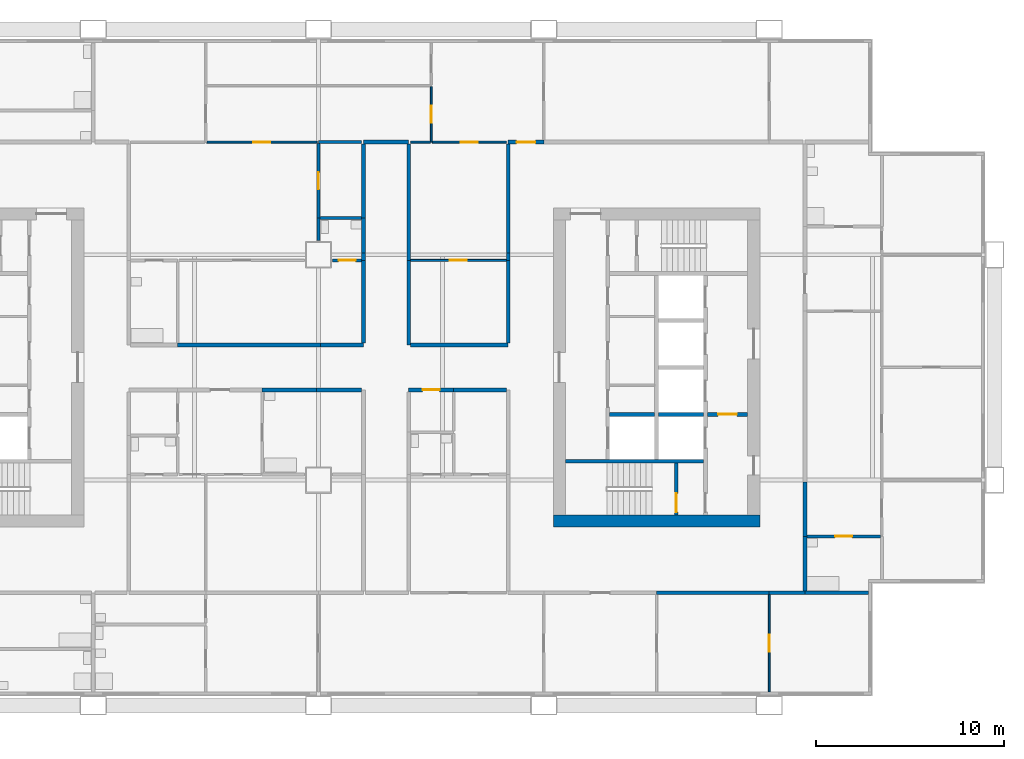
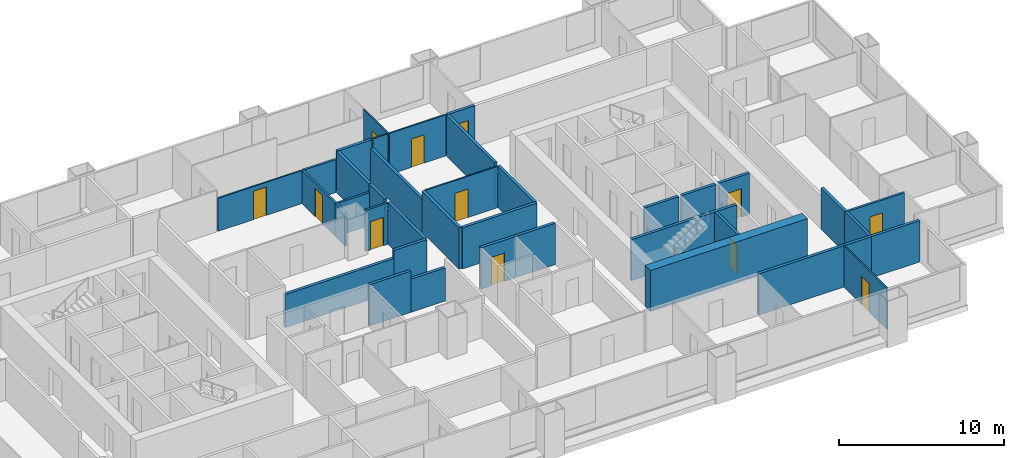
# One storey, part 6 of 11: 41 walls, 12 doors, 12 openings.
"""IFC4 building model written with IfcOpenShell, lengths in metres."""

from ifc_helpers import new_model, si_unit, direction, frame, frame_2d, origin, place, context, subcontext, project, spatial, rectangle, extrude, material, layer, layer_set, type_object, element, fill, save


model = new_model("IFC4")

# Units and contexts
model_context = context("Model", 3, precision=1e-05, world=origin(), true_north=direction((0.0, 1.0)))
body_context = subcontext(model_context, "Body", "Model", "MODEL_VIEW")
ifc_project = project(units=[si_unit("LENGTHUNIT", "METRE"), si_unit("AREAUNIT", "SQUARE_METRE"), si_unit("VOLUMEUNIT", "CUBIC_METRE"), si_unit("PLANEANGLEUNIT", "RADIAN"), si_unit("MASSUNIT", "GRAM", prefix="KILO")], contexts=[model_context])

# Site, building, storey
site_placement = place(None, origin())
site = spatial("IfcSite", under=ifc_project, at=site_placement, CompositionType="ELEMENT")
building_placement = place(site_placement, origin())
building = spatial("IfcBuilding", under=site, at=building_placement, Name="Kitamizu Gate Tower and Museum", CompositionType="ELEMENT")
storey_placement = place(building_placement, frame((0.0, 0.0, 138.0)))
storey = spatial("IfcBuildingStorey", under=building, at=storey_placement, Name="L36", CompositionType="ELEMENT", Elevation=138.0)

# Wall
ifc_material_1 = material(Name="Concrete Fc60", Category="concrete")
ifc_layer_1 = layer(ifc_material_1, 0.64990234375)
ifc_layer_set_1 = layer_set([ifc_layer_1], Name="Concrete Fc60")
wall_type_1 = type_object("IfcWallType", Name="Core wall 650", PredefinedType="SHEAR", material=ifc_layer_set_1)
wall_1_placement = place(storey_placement, frame((59.5, 21.824951171875, 0.0), z_axis=(0.0, 0.0, 1.0), x_axis=(-1.0, 0.0, 0.0)))
element("IfcWall", 1, at=wall_1_placement, inside=storey, type_object=wall_type_1, Name="Core wall ES", PredefinedType="SHEAR", context=body_context, shape_type="SweptSolid", body=[
    extrude(rectangle(XDim=11.0, YDim=0.64990234375, at=frame_2d((5.5, 0.0))), origin(), (0.0, 0.0, 1.0), 3.050048828125),
])

# Wall, opening, door
ifc_material_2 = material(Name="Gypsum board on galvanised stud")
ifc_layer_2 = layer(ifc_material_2, 0.10009765625)
ifc_layer_set_2 = layer_set([ifc_layer_2], Name="Gypsum board on galvanised stud")
wall_type_2 = type_object("IfcWallType", Name="Partition 100 NOT RATED", PredefinedType="PARTITIONING", material=ifc_layer_set_2)
wall_2_placement = place(storey_placement, frame((60.0, 12.719970703125, 0.0), z_axis=(0.0, 0.0, 1.0), x_axis=(0.0, 1.0, 0.0)))
wall_2 = element("IfcWall", 2, at=wall_2_placement, inside=storey, type_object=wall_type_2, Name="Partition L36-067", PredefinedType="PARTITIONING", context=body_context, shape_type="SweptSolid", body=[
    extrude(rectangle(XDim=5.179931640625, YDim=0.10009765625, at=frame_2d((2.58984375, 0.0))), origin(), (0.0, 0.0, 1.0), 3.050048828125),
])
opening_1_placement = place(wall_2_placement, frame((2.139892578125, 0.0, 0.0)))
opening_1 = element("IfcOpeningElement", 3, at=opening_1_placement, cuts=wall_2, Name="Opening L36-026", PredefinedType="OPENING", context=body_context, shape_type="SweptSolid", body=[
    extrude(rectangle(XDim=0.89990234375, YDim=2.10009765625, at=frame_2d((0.449951171875, 1.050048828125))), frame((0.0, 0.06005859375, 0.0), z_axis=(0.0, -1.0, 0.0), x_axis=(1.0, 0.0, 0.0)), (0.0, 0.0, 1.0), 0.1201171875),
])
ifc_material_3 = material(Name="Timber door set", Category="wood")
door_type_1 = type_object("IfcDoorType", Name="Room door 900", OperationType="NOTDEFINED", PredefinedType="DOOR", material=ifc_material_3)
door_1_placement = place(opening_1_placement, frame((0.89990234375, 0.0, 0.0), x_axis=(-1.0, 0.0, 0.0)))
door_1 = element("IfcDoor", 4, at=door_1_placement, inside=storey, type_object=door_type_1, Name="Door L36-026", OperationType="SINGLE_SWING_LEFT", OverallHeight=2.10009765625, OverallWidth=0.89990234375, PredefinedType="DOOR", context=body_context, shape_type="SweptSolid", body=[
    extrude(rectangle(XDim=0.89990234375, YDim=2.10009765625, at=frame_2d((0.449951171875, 1.050048828125))), frame((0.0, 0.02490234375, 0.0), z_axis=(0.0, -1.0, 0.0), x_axis=(1.0, 0.0, 0.0)), (0.0, 0.0, 1.0), 0.050048828125),
])
fill(opening_1, door_1)

wall_3_placement = place(storey_placement, frame((42.0, 42.0, 0.0), z_axis=(0.0, 0.0, 1.0), x_axis=(0.0, 1.0, 0.0)))
wall_3 = element("IfcWall", 5, at=wall_3_placement, inside=storey, type_object=wall_type_2, Name="Partition L36-119", PredefinedType="PARTITIONING", context=body_context, shape_type="SweptSolid", body=[
    extrude(rectangle(XDim=2.949951171875, YDim=0.10009765625, at=frame_2d((1.47509765625, 0.0))), origin(), (0.0, 0.0, 1.0), 3.050048828125),
])
opening_2_placement = place(wall_3_placement, frame((1.02490234375, 0.0, 0.0)))
opening_2 = element("IfcOpeningElement", 6, at=opening_2_placement, cuts=wall_3, Name="Opening L36-044", PredefinedType="OPENING", context=body_context, shape_type="SweptSolid", body=[
    extrude(rectangle(XDim=0.89990234375, YDim=2.10009765625, at=frame_2d((0.449951171875, 1.050048828125))), frame((0.0, 0.06005859375, 0.0), z_axis=(0.0, -1.0, 0.0), x_axis=(1.0, 0.0, 0.0)), (0.0, 0.0, 1.0), 0.1201171875),
])
door_2_placement = place(opening_2_placement, origin())
door_2 = element("IfcDoor", 7, at=door_2_placement, inside=storey, type_object=door_type_1, Name="Door L36-044", OperationType="SINGLE_SWING_RIGHT", OverallHeight=2.10009765625, OverallWidth=0.89990234375, PredefinedType="DOOR", context=body_context, shape_type="SweptSolid", body=[
    extrude(rectangle(XDim=0.89990234375, YDim=2.10009765625, at=frame_2d((0.449951171875, 1.050048828125))), frame((0.0, 0.02490234375, 0.0), z_axis=(0.0, -1.0, 0.0), x_axis=(1.0, 0.0, 0.0)), (0.0, 0.0, 1.0), 0.050048828125),
])
fill(opening_2, door_2)

wall_4_placement = place(storey_placement, frame((30.050048828125, 42.0, 0.0), z_axis=(0.0, 0.0, 1.0), x_axis=(1.0, 0.0, 0.0)))
wall_4 = element("IfcWall", 8, at=wall_4_placement, inside=storey, type_object=wall_type_2, Name="Partition L36-120", PredefinedType="PARTITIONING", context=body_context, shape_type="SweptSolid", body=[
    extrude(rectangle(XDim=5.875, YDim=0.10009765625, at=frame_2d((2.9375, 0.0))), origin(), (0.0, 0.0, 1.0), 2.449951171875),
])
opening_3_placement = place(wall_4_placement, frame((2.487548828125, 0.0, 0.0)))
opening_3 = element("IfcOpeningElement", 9, at=opening_3_placement, cuts=wall_4, Name="Opening L36-049", PredefinedType="OPENING", context=body_context, shape_type="SweptSolid", body=[
    extrude(rectangle(XDim=0.89990234375, YDim=2.10009765625, at=frame_2d((0.449951171875, 1.050048828125))), frame((0.0, 0.06005859375, 0.0), z_axis=(0.0, -1.0, 0.0), x_axis=(1.0, 0.0, 0.0)), (0.0, 0.0, 1.0), 0.1201171875),
])
door_3_placement = place(opening_3_placement, origin())
door_3 = element("IfcDoor", 10, at=door_3_placement, inside=storey, type_object=door_type_1, Name="Door L36-049", OperationType="SINGLE_SWING_RIGHT", OverallHeight=2.10009765625, OverallWidth=0.89990234375, PredefinedType="DOOR", context=body_context, shape_type="SweptSolid", body=[
    extrude(rectangle(XDim=0.89990234375, YDim=2.10009765625, at=frame_2d((0.449951171875, 1.050048828125))), frame((0.0, 0.02490234375, 0.0), z_axis=(0.0, -1.0, 0.0), x_axis=(1.0, 0.0, 0.0)), (0.0, 0.0, 1.0), 0.050048828125),
])
fill(opening_3, door_3)

# Wall
wall_5_placement = place(storey_placement, frame((40.89990234375, 42.0, 0.0), z_axis=(0.0, 0.0, 1.0), x_axis=(1.0, 0.0, 0.0)))
element("IfcWall", 11, at=wall_5_placement, inside=storey, type_object=wall_type_2, Name="Partition L36-122", PredefinedType="PARTITIONING", context=body_context, shape_type="SweptSolid", body=[
    extrude(rectangle(XDim=1.050048828125, YDim=0.10009765625, at=frame_2d((0.52490234375, 0.0))), origin(), (0.0, 0.0, 1.0), 3.050048828125),
])

# Wall, opening, door
wall_6_placement = place(storey_placement, frame((42.050048828125, 42.0, 0.0), z_axis=(0.0, 0.0, 1.0), x_axis=(1.0, 0.0, 0.0)))
wall_6 = element("IfcWall", 12, at=wall_6_placement, inside=storey, type_object=wall_type_2, Name="Partition L36-126", PredefinedType="PARTITIONING", context=body_context, shape_type="SweptSolid", body=[
    extrude(rectangle(XDim=3.949951171875, YDim=0.10009765625, at=frame_2d((1.97509765625, 0.0))), origin(), (0.0, 0.0, 1.0), 3.050048828125),
])
opening_4_placement = place(wall_6_placement, frame((1.52490234375, 0.0, 0.0)))
opening_4 = element("IfcOpeningElement", 13, at=opening_4_placement, cuts=wall_6, Name="Opening L36-047", PredefinedType="OPENING", context=body_context, shape_type="SweptSolid", body=[
    extrude(rectangle(XDim=0.89990234375, YDim=2.10009765625, at=frame_2d((0.449951171875, 1.050048828125))), frame((0.0, 0.06005859375, 0.0), z_axis=(0.0, -1.0, 0.0), x_axis=(1.0, 0.0, 0.0)), (0.0, 0.0, 1.0), 0.1201171875),
])
door_4_placement = place(opening_4_placement, frame((0.89990234375, 0.0, 0.0), x_axis=(-1.0, 0.0, 0.0)))
door_4 = element("IfcDoor", 14, at=door_4_placement, inside=storey, type_object=door_type_1, Name="Door L36-047", OperationType="SINGLE_SWING_RIGHT", OverallHeight=2.10009765625, OverallWidth=0.89990234375, PredefinedType="DOOR", context=body_context, shape_type="SweptSolid", body=[
    extrude(rectangle(XDim=0.89990234375, YDim=2.10009765625, at=frame_2d((0.449951171875, 1.050048828125))), frame((0.0, 0.02490234375, 0.0), z_axis=(0.0, -1.0, 0.0), x_axis=(1.0, 0.0, 0.0)), (0.0, 0.0, 1.0), 0.050048828125),
])
fill(opening_4, door_4)

wall_7_placement = place(storey_placement, frame((40.89990234375, 35.699951171875, 0.0), z_axis=(0.0, 0.0, 1.0), x_axis=(1.0, 0.0, 0.0)))
wall_7 = element("IfcWall", 15, at=wall_7_placement, inside=storey, type_object=wall_type_2, Name="Partition L36-147", PredefinedType="PARTITIONING", context=body_context, shape_type="SweptSolid", body=[
    extrude(rectangle(XDim=5.10009765625, YDim=0.10009765625, at=frame_2d((2.550048828125, 0.0))), origin(), (0.0, 0.0, 1.0), 3.050048828125),
])
opening_5_placement = place(wall_7_placement, frame((2.10009765625, 0.0, 0.0)))
opening_5 = element("IfcOpeningElement", 16, at=opening_5_placement, cuts=wall_7, Name="Opening L36-053", PredefinedType="OPENING", context=body_context, shape_type="SweptSolid", body=[
    extrude(rectangle(XDim=0.89990234375, YDim=2.10009765625, at=frame_2d((0.449951171875, 1.050048828125))), frame((0.0, 0.06005859375, 0.0), z_axis=(0.0, -1.0, 0.0), x_axis=(1.0, 0.0, 0.0)), (0.0, 0.0, 1.0), 0.1201171875),
])
door_5_placement = place(opening_5_placement, frame((0.89990234375, 0.0, 0.0), x_axis=(-1.0, 0.0, 0.0)))
door_5 = element("IfcDoor", 17, at=door_5_placement, inside=storey, type_object=door_type_1, Name="Door L36-053", OperationType="SINGLE_SWING_LEFT", OverallHeight=2.10009765625, OverallWidth=0.89990234375, PredefinedType="DOOR", context=body_context, shape_type="SweptSolid", body=[
    extrude(rectangle(XDim=0.89990234375, YDim=2.10009765625, at=frame_2d((0.449951171875, 1.050048828125))), frame((0.0, 0.02490234375, 0.0), z_axis=(0.0, -1.0, 0.0), x_axis=(1.0, 0.0, 0.0)), (0.0, 0.0, 1.0), 0.050048828125),
])
fill(opening_5, door_5)

ifc_material_4 = material(Name="Gypsum board on galvanised stud")
ifc_layer_3 = layer(ifc_material_4, 0.14990234375)
ifc_layer_set_3 = layer_set([ifc_layer_3], Name="Gypsum board on galvanised stud")
wall_type_3 = type_object("IfcWallType", Name="Partition 150", PredefinedType="PARTITIONING", material=ifc_layer_set_3)
wall_8_placement = place(storey_placement, frame((65.925048828125, 21.0, 0.0), z_axis=(0.0, 0.0, 1.0), x_axis=(-1.0, 0.0, 0.0)))
wall_8 = element("IfcWall", 18, at=wall_8_placement, inside=storey, type_object=wall_type_3, Name="Partition L36-094", PredefinedType="PARTITIONING", context=body_context, shape_type="SweptSolid", body=[
    extrude(rectangle(XDim=3.925048828125, YDim=0.14990234375, at=frame_2d((1.96240234375, 0.0))), origin(), (0.0, 0.0, 1.0), 3.050048828125),
])
opening_6_placement = place(wall_8_placement, frame((1.512451171875, 0.0, 0.0)))
opening_6 = element("IfcOpeningElement", 19, at=opening_6_placement, cuts=wall_8, Name="Opening L36-037", PredefinedType="OPENING", context=body_context, shape_type="SweptSolid", body=[
    extrude(rectangle(XDim=0.89990234375, YDim=2.10009765625, at=frame_2d((0.449951171875, 1.050048828125))), frame((0.0, 0.0849609375, 0.0), z_axis=(0.0, -1.0, 0.0), x_axis=(1.0, 0.0, 0.0)), (0.0, 0.0, 1.0), 0.169921875),
])
ifc_material_5 = material(Name="Timber door set", Category="wood")
door_type_2 = type_object("IfcDoorType", Name="Bathroom door 900", OperationType="NOTDEFINED", PredefinedType="DOOR", material=ifc_material_5)
door_6_placement = place(opening_6_placement, origin())
door_6 = element("IfcDoor", 20, at=door_6_placement, inside=storey, type_object=door_type_2, Name="Bathroom door L36-037", OperationType="SINGLE_SWING_RIGHT", OverallHeight=2.10009765625, OverallWidth=0.89990234375, PredefinedType="DOOR", context=body_context, shape_type="SweptSolid", body=[
    extrude(rectangle(XDim=0.89990234375, YDim=2.10009765625, at=frame_2d((0.449951171875, 1.050048828125))), frame((0.0, 0.02490234375, 0.0), z_axis=(0.0, -1.0, 0.0), x_axis=(1.0, 0.0, 0.0)), (0.0, 0.0, 1.0), 0.050048828125),
])
fill(opening_6, door_6)

# Walls
wall_9_placement = place(storey_placement, frame((36.0, 42.0, 0.0), z_axis=(0.0, 0.0, 1.0), x_axis=(1.0, 0.0, 0.0)))
element("IfcWall", 21, at=wall_9_placement, inside=storey, type_object=wall_type_3, Name="Partition L36-121", PredefinedType="PARTITIONING", context=body_context, shape_type="SweptSolid", body=[
    extrude(rectangle(XDim=2.300048828125, YDim=0.14990234375, at=frame_2d((1.14990234375, 0.0))), origin(), (0.0, 0.0, 1.0), 2.449951171875),
])
wall_10_placement = place(storey_placement, frame((36.0, 36.75, 0.0), z_axis=(0.0, 0.0, 1.0), x_axis=(0.0, 1.0, 0.0)))
element("IfcWall", 22, at=wall_10_placement, inside=storey, type_object=wall_type_3, Name="Partition L36-131", PredefinedType="PARTITIONING", context=body_context, shape_type="SweptSolid", body=[
    extrude(rectangle(XDim=1.199951171875, YDim=0.14990234375, at=frame_2d((0.60009765625, 0.0))), origin(), (0.0, 0.0, 1.0), 2.449951171875),
])

# Wall, opening, door
wall_11_placement = place(storey_placement, frame((36.0, 37.949951171875, 0.0), z_axis=(0.0, 0.0, 1.0), x_axis=(0.0, 1.0, 0.0)))
wall_11 = element("IfcWall", 23, at=wall_11_placement, inside=storey, type_object=wall_type_3, Name="Partition L36-132", PredefinedType="PARTITIONING", context=body_context, shape_type="SweptSolid", body=[
    extrude(rectangle(XDim=3.97509765625, YDim=0.14990234375, at=frame_2d((1.987548828125, 0.0))), origin(), (0.0, 0.0, 1.0), 2.449951171875),
])
opening_7_placement = place(wall_11_placement, frame((1.53759765625, 0.0, 0.0)))
opening_7 = element("IfcOpeningElement", 24, at=opening_7_placement, cuts=wall_11, Name="Opening L36-050", PredefinedType="OPENING", context=body_context, shape_type="SweptSolid", body=[
    extrude(rectangle(XDim=0.89990234375, YDim=2.10009765625, at=frame_2d((0.449951171875, 1.050048828125))), frame((0.0, 0.0849609375, 0.0), z_axis=(0.0, -1.0, 0.0), x_axis=(1.0, 0.0, 0.0)), (0.0, 0.0, 1.0), 0.169921875),
])
door_7_placement = place(opening_7_placement, frame((0.89990234375, 0.0, 0.0), x_axis=(-1.0, 0.0, 0.0)))
door_7 = element("IfcDoor", 25, at=door_7_placement, inside=storey, type_object=door_type_2, Name="Bathroom door L36-050", OperationType="SINGLE_SWING_RIGHT", OverallHeight=2.10009765625, OverallWidth=0.89990234375, PredefinedType="DOOR", context=body_context, shape_type="SweptSolid", body=[
    extrude(rectangle(XDim=0.89990234375, YDim=2.10009765625, at=frame_2d((0.449951171875, 1.050048828125))), frame((0.0, 0.02490234375, 0.0), z_axis=(0.0, -1.0, 0.0), x_axis=(1.0, 0.0, 0.0)), (0.0, 0.0, 1.0), 0.050048828125),
])
fill(opening_7, door_7)

# Wall
wall_12_placement = place(storey_placement, frame((38.300048828125, 37.949951171875, 0.0), z_axis=(0.0, 0.0, 1.0), x_axis=(-1.0, 0.0, 0.0)))
element("IfcWall", 26, at=wall_12_placement, inside=storey, type_object=wall_type_3, Name="Partition L36-136", PredefinedType="PARTITIONING", context=body_context, shape_type="SweptSolid", body=[
    extrude(rectangle(XDim=2.22509765625, YDim=0.14990234375, at=frame_2d((1.112548828125, 0.0))), origin(), (0.0, 0.0, 1.0), 2.449951171875),
])

# Wall, opening, door
wall_13_placement = place(storey_placement, frame((36.75, 35.699951171875, 0.0), z_axis=(0.0, 0.0, 1.0), x_axis=(1.0, 0.0, 0.0)))
wall_13 = element("IfcWall", 27, at=wall_13_placement, inside=storey, type_object=wall_type_3, Name="Partition L36-137", PredefinedType="PARTITIONING", context=body_context, shape_type="SweptSolid", body=[
    extrude(rectangle(XDim=1.550048828125, YDim=0.14990234375, at=frame_2d((0.77490234375, 0.0))), origin(), (0.0, 0.0, 1.0), 3.050048828125),
])
opening_8_placement = place(wall_13_placement, frame((0.324951171875, 0.0, 0.0)))
opening_8 = element("IfcOpeningElement", 28, at=opening_8_placement, cuts=wall_13, Name="Opening L36-054", PredefinedType="OPENING", context=body_context, shape_type="SweptSolid", body=[
    extrude(rectangle(XDim=0.89990234375, YDim=2.10009765625, at=frame_2d((0.449951171875, 1.050048828125))), frame((0.0, 0.0849609375, 0.0), z_axis=(0.0, -1.0, 0.0), x_axis=(1.0, 0.0, 0.0)), (0.0, 0.0, 1.0), 0.169921875),
])
door_8_placement = place(opening_8_placement, origin())
door_8 = element("IfcDoor", 29, at=door_8_placement, inside=storey, type_object=door_type_2, Name="Bathroom door L36-054", OperationType="SINGLE_SWING_LEFT", OverallHeight=2.10009765625, OverallWidth=0.89990234375, PredefinedType="DOOR", context=body_context, shape_type="SweptSolid", body=[
    extrude(rectangle(XDim=0.89990234375, YDim=2.10009765625, at=frame_2d((0.449951171875, 1.050048828125))), frame((0.0, 0.02490234375, 0.0), z_axis=(0.0, -1.0, 0.0), x_axis=(1.0, 0.0, 0.0)), (0.0, 0.0, 1.0), 0.050048828125),
])
fill(opening_8, door_8)

# Walls
ifc_material_6 = material(Name="Gypsum board on galvanised stud")
ifc_layer_4 = layer(ifc_material_6, 0.199951171875)
ifc_layer_set_4 = layer_set([ifc_layer_4], Name="Gypsum board on galvanised stud")
wall_type_4 = type_object("IfcWallType", Name="Partition 200", PredefinedType="PARTITIONING", material=ifc_layer_set_4)
wall_14_placement = place(storey_placement, frame((38.300048828125, 28.800048828125, 0.0), z_axis=(0.0, 0.0, 1.0), x_axis=(-1.0, 0.0, 0.0)))
element("IfcWall", 30, at=wall_14_placement, inside=storey, type_object=wall_type_4, Name="Partition L36-054", PredefinedType="PARTITIONING", context=body_context, shape_type="SweptSolid", body=[
    extrude(rectangle(XDim=2.400146484375, YDim=0.199951171875, at=frame_2d((1.2001953125, 0.0))), origin(), (0.0, 0.0, 1.0), 2.449951171875),
])
wall_15_placement = place(storey_placement, frame((35.89990234375, 28.800048828125, 0.0), z_axis=(0.0, 0.0, 1.0), x_axis=(-1.0, 0.0, 0.0)))
element("IfcWall", 31, at=wall_15_placement, inside=storey, type_object=wall_type_4, Name="Partition L36-055", PredefinedType="PARTITIONING", context=body_context, shape_type="SweptSolid", body=[
    extrude(rectangle(XDim=2.89990234375, YDim=0.199951171875, at=frame_2d((1.449951171875, 0.0))), origin(), (0.0, 0.0, 1.0), 3.050048828125),
])
wall_16_placement = place(storey_placement, frame((60.0, 18.0, 0.0), z_axis=(0.0, 0.0, 1.0), x_axis=(-1.0, 0.0, 0.0)))
element("IfcWall", 32, at=wall_16_placement, inside=storey, type_object=wall_type_4, Name="Partition L36-068", PredefinedType="PARTITIONING", context=body_context, shape_type="SweptSolid", body=[
    extrude(rectangle(XDim=6.0, YDim=0.199951171875, at=frame_2d((3.0, 0.0))), origin(), (0.0, 0.0, 1.0), 3.050048828125),
])
wall_17_placement = place(storey_placement, frame((65.280029296875, 18.0, 0.0), z_axis=(0.0, 0.0, 1.0), x_axis=(-1.0, 0.0, 0.0)))
element("IfcWall", 33, at=wall_17_placement, inside=storey, type_object=wall_type_4, Name="Partition L36-069", PredefinedType="PARTITIONING", context=body_context, shape_type="SweptSolid", body=[
    extrude(rectangle(XDim=3.380126953125, YDim=0.199951171875, at=frame_2d((1.68994140625, 0.0))), origin(), (0.0, 0.0, 1.0), 3.050048828125),
])
wall_18_placement = place(storey_placement, frame((61.89990234375, 18.0, 0.0), z_axis=(0.0, 0.0, 1.0), x_axis=(-1.0, 0.0, 0.0)))
element("IfcWall", 34, at=wall_18_placement, inside=storey, type_object=wall_type_4, Name="Partition L36-070", PredefinedType="PARTITIONING", context=body_context, shape_type="SweptSolid", body=[
    extrude(rectangle(XDim=1.89990234375, YDim=0.199951171875, at=frame_2d((0.949951171875, 0.0))), origin(), (0.0, 0.0, 1.0), 3.050048828125),
])

# Wall, opening, door
wall_19_placement = place(storey_placement, frame((43.199951171875, 28.800048828125, 0.0), z_axis=(0.0, 0.0, 1.0), x_axis=(-1.0, 0.0, 0.0)))
wall_19 = element("IfcWall", 35, at=wall_19_placement, inside=storey, type_object=wall_type_4, Name="Partition L36-080", PredefinedType="PARTITIONING", context=body_context, shape_type="SweptSolid", body=[
    extrude(rectangle(XDim=2.39990234375, YDim=0.199951171875, at=frame_2d((1.199951171875, 0.0))), origin(), (0.0, 0.0, 1.0), 3.050048828125),
])
opening_9_placement = place(wall_19_placement, frame((0.75, 0.0, 0.0)))
opening_9 = element("IfcOpeningElement", 36, at=opening_9_placement, cuts=wall_19, Name="Opening L36-029", PredefinedType="OPENING", context=body_context, shape_type="SweptSolid", body=[
    extrude(rectangle(XDim=0.89990234375, YDim=2.10009765625, at=frame_2d((0.449951171875, 1.050048828125))), frame((0.0, 0.10986328125, 0.0), z_axis=(0.0, -1.0, 0.0), x_axis=(1.0, 0.0, 0.0)), (0.0, 0.0, 1.0), 0.219970703125),
])
ifc_material_7 = material(Name="Timber door set", Category="wood")
door_type_3 = type_object("IfcDoorType", Name="Store door 900", OperationType="NOTDEFINED", PredefinedType="DOOR", material=ifc_material_7)
door_9_placement = place(opening_9_placement, origin())
door_9 = element("IfcDoor", 37, at=door_9_placement, inside=storey, type_object=door_type_3, Name="Service entrance door L36-029", OperationType="SINGLE_SWING_LEFT", OverallHeight=2.10009765625, OverallWidth=0.89990234375, PredefinedType="DOOR", context=body_context, shape_type="SweptSolid", body=[
    extrude(rectangle(XDim=0.89990234375, YDim=2.10009765625, at=frame_2d((0.449951171875, 1.050048828125))), frame((0.0, 0.02490234375, 0.0), z_axis=(0.0, -1.0, 0.0), x_axis=(1.0, 0.0, 0.0)), (0.0, 0.0, 1.0), 0.050048828125),
])
fill(opening_9, door_9)

# Walls
wall_20_placement = place(storey_placement, frame((46.0, 28.800048828125, 0.0), z_axis=(0.0, 0.0, 1.0), x_axis=(-1.0, 0.0, 0.0)))
element("IfcWall", 38, at=wall_20_placement, inside=storey, type_object=wall_type_4, Name="Partition L36-083", PredefinedType="PARTITIONING", context=body_context, shape_type="SweptSolid", body=[
    extrude(rectangle(XDim=2.800048828125, YDim=0.199951171875, at=frame_2d((1.39990234375, 0.0))), origin(), (0.0, 0.0, 1.0), 3.050048828125),
])
for number, where, z_axis, x_axis, name in (
    (39, (61.89990234375, 21.0, 0.0), (0.0, 0.0, 1.0), (0.0, -1.0, 0.0), "Partition L36-095"),
    (40, (61.89990234375, 23.89990234375, 0.0), (0.0, 0.0, 1.0), (0.0, -1.0, 0.0), "Partition L36-098"),
):
    element("IfcWall", number, at=place(storey_placement, frame(where, z_axis=z_axis, x_axis=x_axis)), inside=storey, type_object=wall_type_4, Name=name, PredefinedType="PARTITIONING", context=body_context, shape_type="SweptSolid", body=[
        extrude(rectangle(XDim=2.89990234375, YDim=0.199951171875, at=frame_2d((1.449951171875, 0.0))), origin(), (0.0, 0.0, 1.0), 3.050048828125),
    ])
wall_21_placement = place(storey_placement, frame((38.39990234375, 42.0, 0.0), z_axis=(0.0, 0.0, 1.0), x_axis=(1.0, 0.0, 0.0)))
element("IfcWall", 41, at=wall_21_placement, inside=storey, type_object=wall_type_4, Name="Partition L36-123", PredefinedType="PARTITIONING", context=body_context, shape_type="SweptSolid", body=[
    extrude(rectangle(XDim=2.400146484375, YDim=0.199951171875, at=frame_2d((1.2001953125, 0.0))), origin(), (0.0, 0.0, 1.0), 3.050048828125),
])

# Wall, opening, door
wall_22_placement = place(storey_placement, frame((46.10009765625, 42.0, 0.0), z_axis=(0.0, 0.0, 1.0), x_axis=(1.0, 0.0, 0.0)))
wall_22 = element("IfcWall", 42, at=wall_22_placement, inside=storey, type_object=wall_type_4, Name="Partition L36-127", PredefinedType="PARTITIONING", context=body_context, shape_type="SweptSolid", body=[
    extrude(rectangle(XDim=1.89990234375, YDim=0.199951171875, at=frame_2d((0.949951171875, 0.0))), origin(), (0.0, 0.0, 1.0), 3.050048828125),
])
opening_10_placement = place(wall_22_placement, frame((0.449951171875, 0.0, 0.0)))
opening_10 = element("IfcOpeningElement", 43, at=opening_10_placement, cuts=wall_22, Name="Opening L36-042", PredefinedType="OPENING", context=body_context, shape_type="SweptSolid", body=[
    extrude(rectangle(XDim=1.0, YDim=2.10009765625, at=frame_2d((0.5, 1.050048828125))), frame((0.0, 0.10986328125, 0.0), z_axis=(0.0, -1.0, 0.0), x_axis=(1.0, 0.0, 0.0)), (0.0, 0.0, 1.0), 0.219970703125),
])
ifc_material_8 = material(Name="Timber door set", Category="wood")
door_type_4 = type_object("IfcDoorType", Name="Flat entrance door 1000", OperationType="NOTDEFINED", PredefinedType="DOOR", material=ifc_material_8)
door_10_placement = place(opening_10_placement, origin())
door_10 = element("IfcDoor", 44, at=door_10_placement, inside=storey, type_object=door_type_4, Name="Flat entrance door L36-042", OperationType="SINGLE_SWING_LEFT", OverallHeight=2.10009765625, OverallWidth=1.0, PredefinedType="DOOR", context=body_context, shape_type="SweptSolid", body=[
    extrude(rectangle(XDim=1.0, YDim=2.10009765625, at=frame_2d((0.5, 1.050048828125))), frame((0.0, 0.02490234375, 0.0), z_axis=(0.0, -1.0, 0.0), x_axis=(1.0, 0.0, 0.0)), (0.0, 0.0, 1.0), 0.050048828125),
])
fill(opening_10, door_10)

# Walls
wall_23_placement = place(storey_placement, frame((38.39990234375, 35.699951171875, 0.0), z_axis=(0.0, 0.0, 1.0), x_axis=(0.0, 1.0, 0.0)))
element("IfcWall", 45, at=wall_23_placement, inside=storey, type_object=wall_type_4, Name="Partition L36-138", PredefinedType="PARTITIONING", context=body_context, shape_type="SweptSolid", body=[
    extrude(rectangle(XDim=0.400146484375, YDim=0.199951171875, at=frame_2d((0.2001953125, 0.0))), origin(), (0.0, 0.0, 1.0), 2.449951171875),
])
wall_24_placement = place(storey_placement, frame((38.39990234375, 36.10009765625, 0.0), z_axis=(0.0, 0.0, 1.0), x_axis=(0.0, 1.0, 0.0)))
element("IfcWall", 46, at=wall_24_placement, inside=storey, type_object=wall_type_4, Name="Partition L36-139", PredefinedType="PARTITIONING", context=body_context, shape_type="SweptSolid", body=[
    extrude(rectangle(XDim=1.849853515625, YDim=0.199951171875, at=frame_2d((0.9248046875, 0.0))), origin(), (0.0, 0.0, 1.0), 3.050048828125),
])
wall_25_placement = place(storey_placement, frame((38.39990234375, 37.949951171875, 0.0), z_axis=(0.0, 0.0, 1.0), x_axis=(0.0, 1.0, 0.0)))
element("IfcWall", 47, at=wall_25_placement, inside=storey, type_object=wall_type_4, Name="Partition L36-140", PredefinedType="PARTITIONING", context=body_context, shape_type="SweptSolid", body=[
    extrude(rectangle(XDim=3.949951171875, YDim=0.199951171875, at=frame_2d((1.97509765625, 0.0))), origin(), (0.0, 0.0, 1.0), 3.050048828125),
])
wall_26_placement = place(storey_placement, frame((28.5, 31.199951171875, 0.0), z_axis=(0.0, 0.0, 1.0), x_axis=(1.0, 0.0, 0.0)))
element("IfcWall", 48, at=wall_26_placement, inside=storey, type_object=wall_type_4, Name="Partition L36-144", PredefinedType="PARTITIONING", context=body_context, shape_type="SweptSolid", body=[
    extrude(rectangle(XDim=7.60009765625, YDim=0.199951171875, at=frame_2d((3.800048828125, 0.0))), origin(), (0.0, 0.0, 1.0), 2.449951171875),
])
wall_27_placement = place(storey_placement, frame((36.10009765625, 31.199951171875, 0.0), z_axis=(0.0, 0.0, 1.0), x_axis=(1.0, 0.0, 0.0)))
element("IfcWall", 49, at=wall_27_placement, inside=storey, type_object=wall_type_4, Name="Partition L36-145", PredefinedType="PARTITIONING", context=body_context, shape_type="SweptSolid", body=[
    extrude(rectangle(XDim=2.2998046875, YDim=0.199951171875, at=frame_2d((1.14990234375, 0.0))), origin(), (0.0, 0.0, 1.0), 3.050048828125),
])
wall_28_placement = place(storey_placement, frame((38.39990234375, 31.300048828125, 0.0), z_axis=(0.0, 0.0, 1.0), x_axis=(0.0, 1.0, 0.0)))
element("IfcWall", 50, at=wall_28_placement, inside=storey, type_object=wall_type_4, Name="Partition L36-146", PredefinedType="PARTITIONING", context=body_context, shape_type="SweptSolid", body=[
    extrude(rectangle(XDim=4.39990234375, YDim=0.199951171875, at=frame_2d((2.199951171875, 0.0))), origin(), (0.0, 0.0, 1.0), 3.050048828125),
])
wall_29_placement = place(storey_placement, frame((40.800048828125, 41.89990234375, 0.0), z_axis=(0.0, 0.0, 1.0), x_axis=(0.0, -1.0, 0.0)))
element("IfcWall", 51, at=wall_29_placement, inside=storey, type_object=wall_type_4, Name="Partition L36-148", PredefinedType="PARTITIONING", context=body_context, shape_type="SweptSolid", body=[
    extrude(rectangle(XDim=6.199951171875, YDim=0.199951171875, at=frame_2d((3.10009765625, 0.0))), origin(), (0.0, 0.0, 1.0), 2.449951171875),
])
wall_30_placement = place(storey_placement, frame((46.10009765625, 35.699951171875, 0.0), z_axis=(0.0, 0.0, 1.0), x_axis=(0.0, 1.0, 0.0)))
element("IfcWall", 52, at=wall_30_placement, inside=storey, type_object=wall_type_4, Name="Partition L36-149", PredefinedType="PARTITIONING", context=body_context, shape_type="SweptSolid", body=[
    extrude(rectangle(XDim=0.400146484375, YDim=0.199951171875, at=frame_2d((0.2001953125, 0.0))), origin(), (0.0, 0.0, 1.0), 2.449951171875),
])
wall_31_placement = place(storey_placement, frame((46.10009765625, 36.10009765625, 0.0), z_axis=(0.0, 0.0, 1.0), x_axis=(0.0, 1.0, 0.0)))
element("IfcWall", 53, at=wall_31_placement, inside=storey, type_object=wall_type_4, Name="Partition L36-150", PredefinedType="PARTITIONING", context=body_context, shape_type="SweptSolid", body=[
    extrude(rectangle(XDim=5.7998046875, YDim=0.199951171875, at=frame_2d((2.89990234375, 0.0))), origin(), (0.0, 0.0, 1.0), 3.050048828125),
])
wall_32_placement = place(storey_placement, frame((40.800048828125, 35.699951171875, 0.0), z_axis=(0.0, 0.0, 1.0), x_axis=(0.0, -1.0, 0.0)))
element("IfcWall", 54, at=wall_32_placement, inside=storey, type_object=wall_type_4, Name="Partition L36-151", PredefinedType="PARTITIONING", context=body_context, shape_type="SweptSolid", body=[
    extrude(rectangle(XDim=4.5, YDim=0.199951171875, at=frame_2d((2.25, 0.0))), origin(), (0.0, 0.0, 1.0), 3.050048828125),
])
wall_33_placement = place(storey_placement, frame((40.89990234375, 31.199951171875, 0.0), z_axis=(0.0, 0.0, 1.0), x_axis=(1.0, 0.0, 0.0)))
element("IfcWall", 55, at=wall_33_placement, inside=storey, type_object=wall_type_4, Name="Partition L36-152", PredefinedType="PARTITIONING", context=body_context, shape_type="SweptSolid", body=[
    extrude(rectangle(XDim=5.2001953125, YDim=0.199951171875, at=frame_2d((2.60009765625, 0.0))), origin(), (0.0, 0.0, 1.0), 3.050048828125),
])
wall_34_placement = place(storey_placement, frame((46.10009765625, 31.300048828125, 0.0), z_axis=(0.0, 0.0, 1.0), x_axis=(0.0, 1.0, 0.0)))
element("IfcWall", 56, at=wall_34_placement, inside=storey, type_object=wall_type_4, Name="Partition L36-153", PredefinedType="PARTITIONING", context=body_context, shape_type="SweptSolid", body=[
    extrude(rectangle(XDim=4.39990234375, YDim=0.199951171875, at=frame_2d((2.199951171875, 0.0))), origin(), (0.0, 0.0, 1.0), 3.050048828125),
])
ifc_material_9 = material(Name="Concrete Fc42", Category="concrete")
ifc_layer_5 = layer(ifc_material_9, 0.199951171875)
ifc_layer_set_5 = layer_set([ifc_layer_5], Name="Concrete Fc42")
wall_type_5 = type_object("IfcWallType", Name="Shaft wall 200", PredefinedType="SOLIDWALL", material=ifc_layer_set_5)
wall_35_placement = place(storey_placement, frame((56.5, 25.0, 0.0), z_axis=(0.0, 0.0, 1.0), x_axis=(-1.0, 0.0, 0.0)))
element("IfcWall", 57, at=wall_35_placement, inside=storey, type_object=wall_type_5, Name="Shaft wall ESB", PredefinedType="SOLIDWALL", context=body_context, shape_type="SweptSolid", body=[
    extrude(rectangle(XDim=7.35009765625, YDim=0.199951171875, at=frame_2d((3.675048828125, 0.0))), origin(), (0.0, 0.0, 1.0), 3.050048828125),
])

# Wall, opening, door
wall_36_placement = place(storey_placement, frame((58.85009765625, 27.5, 0.0), z_axis=(0.0, 0.0, 1.0), x_axis=(-1.0, 0.0, 0.0)))
wall_36 = element("IfcWall", 58, at=wall_36_placement, inside=storey, type_object=wall_type_5, Name="Shaft wall EFFN", PredefinedType="SOLIDWALL", context=body_context, shape_type="SweptSolid", body=[
    extrude(rectangle(XDim=2.150146484375, YDim=0.199951171875, at=frame_2d((1.0751953125, 0.0))), origin(), (0.0, 0.0, 1.0), 3.050048828125),
])
opening_11_placement = place(wall_36_placement, frame((0.574951171875, 0.0, 0.0)))
opening_11 = element("IfcOpeningElement", 59, at=opening_11_placement, cuts=wall_36, Name="Opening L36-071", PredefinedType="OPENING", context=body_context, shape_type="SweptSolid", body=[
    extrude(rectangle(XDim=1.0, YDim=2.10009765625, at=frame_2d((0.5, 1.050048828125))), frame((0.0, 0.10986328125, 0.0), z_axis=(0.0, -1.0, 0.0), x_axis=(1.0, 0.0, 0.0)), (0.0, 0.0, 1.0), 0.219970703125),
])
ifc_material_10 = material(Name="Hollow metal door set")
door_type_5 = type_object("IfcDoorType", Name="Fire door 1000", OperationType="NOTDEFINED", PredefinedType="DOOR", material=ifc_material_10)
door_11_placement = place(opening_11_placement, origin())
door_11 = element("IfcDoor", 60, at=door_11_placement, inside=storey, type_object=door_type_5, Name="Fire-fighting lobby door L36-071", OperationType="SINGLE_SWING_LEFT", OverallHeight=2.10009765625, OverallWidth=1.0, PredefinedType="DOOR", context=body_context, shape_type="SweptSolid", body=[
    extrude(rectangle(XDim=1.0, YDim=2.10009765625, at=frame_2d((0.5, 1.050048828125))), frame((0.0, 0.02490234375, 0.0), z_axis=(0.0, -1.0, 0.0), x_axis=(1.0, 0.0, 0.0)), (0.0, 0.0, 1.0), 0.050048828125),
])
fill(opening_11, door_11)

wall_37_placement = place(storey_placement, frame((55.050048828125, 22.14990234375, 0.0), z_axis=(0.0, 0.0, 1.0), x_axis=(0.0, 1.0, 0.0)))
wall_37 = element("IfcWall", 61, at=wall_37_placement, inside=storey, type_object=wall_type_5, Name="Shaft wall ESZ", PredefinedType="SOLIDWALL", context=body_context, shape_type="SweptSolid", body=[
    extrude(rectangle(XDim=2.75, YDim=0.199951171875, at=frame_2d((1.375, 0.0))), origin(), (0.0, 0.0, 1.0), 3.050048828125),
])
opening_12_placement = place(wall_37_placement, frame((0.14990234375, 0.0, 0.0)))
opening_12 = element("IfcOpeningElement", 62, at=opening_12_placement, cuts=wall_37, Name="Opening L36-067", PredefinedType="OPENING", context=body_context, shape_type="SweptSolid", body=[
    extrude(rectangle(XDim=1.0, YDim=2.10009765625, at=frame_2d((0.5, 1.050048828125))), frame((0.0, 0.10986328125, 0.0), z_axis=(0.0, -1.0, 0.0), x_axis=(1.0, 0.0, 0.0)), (0.0, 0.0, 1.0), 0.219970703125),
])
door_12_placement = place(opening_12_placement, origin())
door_12 = element("IfcDoor", 63, at=door_12_placement, inside=storey, type_object=door_type_5, Name="Stair door L36-067", OperationType="SINGLE_SWING_RIGHT", OverallHeight=2.10009765625, OverallWidth=1.0, PredefinedType="DOOR", context=body_context, shape_type="SweptSolid", body=[
    extrude(rectangle(XDim=1.0, YDim=2.10009765625, at=frame_2d((0.5, 1.050048828125))), frame((0.0, 0.02490234375, 0.0), z_axis=(0.0, -1.0, 0.0), x_axis=(1.0, 0.0, 0.0)), (0.0, 0.0, 1.0), 0.050048828125),
])
fill(opening_12, door_12)

# Walls
for number, where, z_axis, x_axis, name in (
    (64, (56.5, 27.5, 0.0), (0.0, 0.0, 1.0), (-1.0, 0.0, 0.0), "Shaft wall EDVW0"),
    (65, (53.89990234375, 27.5, 0.0), (0.0, 0.0, 1.0), (-1.0, 0.0, 0.0), "Shaft wall EDVE0"),
):
    element("IfcWall", number, at=place(storey_placement, frame(where, z_axis=z_axis, x_axis=x_axis)), inside=storey, type_object=wall_type_5, Name=name, PredefinedType="SOLIDWALL", context=body_context, shape_type="SweptSolid", body=[
        extrude(rectangle(XDim=2.39990234375, YDim=0.199951171875, at=frame_2d((1.199951171875, 0.0))), origin(), (0.0, 0.0, 1.0), 3.050048828125),
    ])

save(model, "model.ifc")
